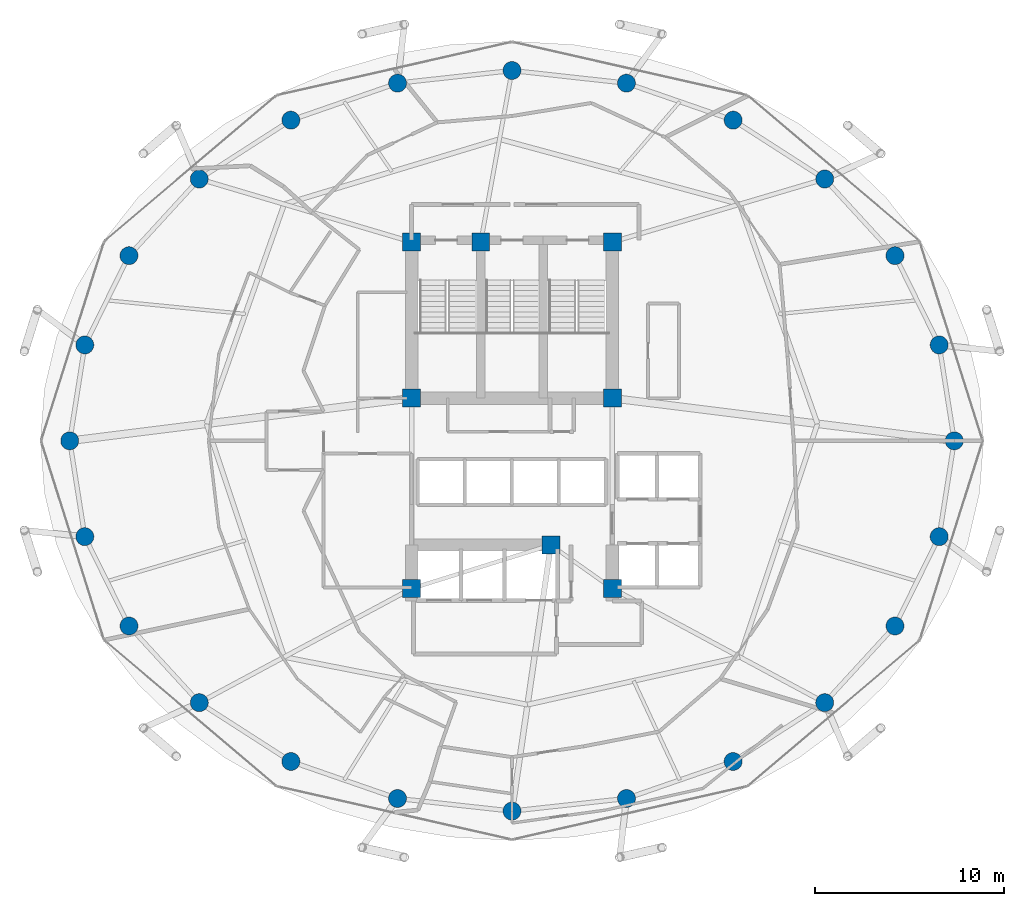
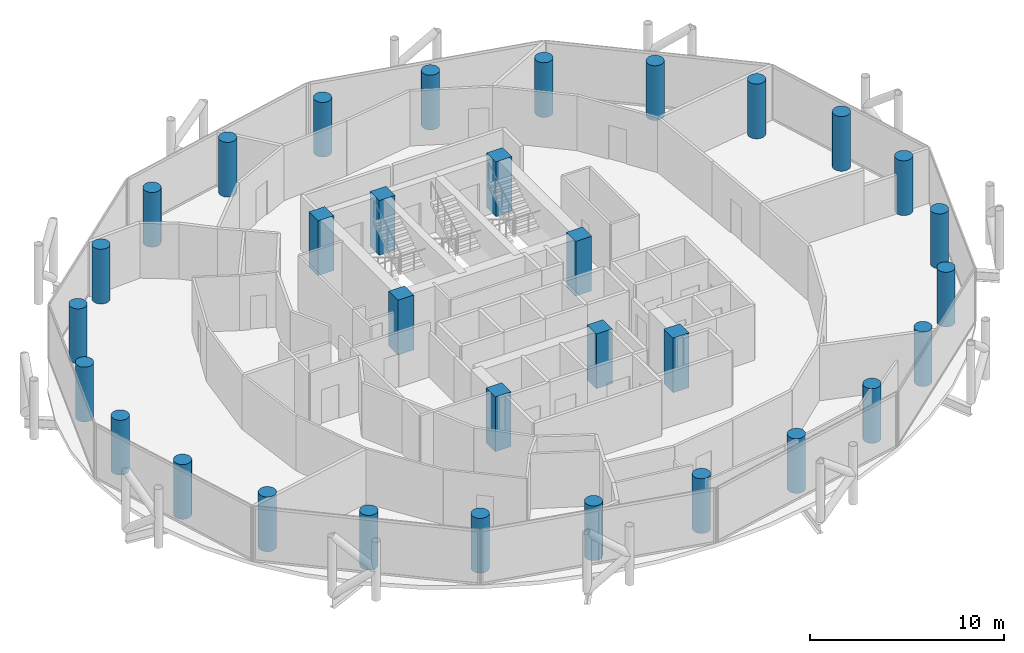
# One storey, part 1 of 26: 32 columns.
"""IFC4 building model written with IfcOpenShell, lengths in metres."""

import ifcopenshell
import ifcopenshell.guid

model = None  # the IFC model being written
_history = None  # IfcOwnerHistory: only IFC2X3 demands one
_inside = {}  # id of a spatial element -> (the spatial element, [elements in it])
_under = {}  # id of a project, library or spatial element -> (it, [spatial elements below it])
_declared = {}  # id of a project -> (the project, [libraries it declares])
_typed = {}  # id of a type object -> (the type object, [elements of that type])
_made_of = {}  # id of a material, layer set ... -> (it, [elements and type objects made of it])


def new_model(schema):
    """Start an empty IFC model of exactly this schema.

    Asked for "IFC4X3", IfcOpenShell would pick the latest addendum, in which some entities
    have other attributes; the version numbers below select the first issue.
    IFC2X3 requires an IfcOwnerHistory on every rooted entity: one is made here for all.
    """
    global model, _history
    if schema == "IFC4X3":
        model = ifcopenshell.file(schema_version=(4, 3, 0, 0))
    else:
        model = ifcopenshell.file(schema=schema)
    _inside.clear()
    _under.clear()
    _declared.clear()
    _typed.clear()
    _made_of.clear()
    _history = None
    if model.schema == "IFC2X3":
        org = make("IfcOrganization", Name="unknown")
        user = make(
            "IfcPersonAndOrganization",
            ThePerson=make("IfcPerson", FamilyName="unknown"),
            TheOrganization=org,
        )
        app = make(
            "IfcApplication",
            ApplicationDeveloper=org,
            Version="unknown",
            ApplicationFullName="unknown",
            ApplicationIdentifier="unknown",
        )
        _history = make(
            "IfcOwnerHistory",
            OwningUser=user,
            OwningApplication=app,
            ChangeAction="ADDED",
            CreationDate=0,
        )
    return model


def make(cls, **values):
    """One entity of the class cls with the attributes given. An attribute that is None is left unset."""
    return model.create_entity(
        cls, **{name: value for name, value in values.items() if value is not None}
    )


def rooted(cls, **values):
    """An entity with a GlobalId (a new one), such as an element, a storey or a relation."""
    return make(cls, GlobalId=ifcopenshell.guid.new(), OwnerHistory=_history, **values)


def si_unit(unit_type, name, prefix=None):
    """IfcSIUnit, for example si_unit("LENGTHUNIT", "METRE", prefix="MILLI")."""
    return make("IfcSIUnit", UnitType=unit_type, Prefix=prefix, Name=name)


def assignment(units):
    """IfcUnitAssignment: the units of a project."""
    return None if units is None else make("IfcUnitAssignment", Units=units)


def point(xyz):
    """IfcCartesianPoint."""
    return None if xyz is None else make("IfcCartesianPoint", Coordinates=xyz)


def direction(xyz):
    """IfcDirection."""
    return None if xyz is None else make("IfcDirection", DirectionRatios=xyz)


def frame(location, z_axis=None, x_axis=None):
    """IfcAxis2Placement3D, a coordinate frame: its origin and axes. An axis left out is left unset."""
    return make(
        "IfcAxis2Placement3D",
        Location=point(location),
        Axis=direction(z_axis),
        RefDirection=direction(x_axis),
    )


def frame_2d(location, x_axis=None):
    """IfcAxis2Placement2D, a coordinate frame in the plane: its origin and x axis."""
    return make(
        "IfcAxis2Placement2D", Location=point(location), RefDirection=direction(x_axis)
    )


def origin():
    """The frame at (0, 0, 0) with its axes left unset."""
    return frame((0.0, 0.0, 0.0))


def origin_2d():
    """The frame at (0, 0) in the plane with its x axis left unset."""
    return frame_2d((0.0, 0.0))


def place(relative_to, where):
    """IfcLocalPlacement: puts the frame where relative to a parent placement (None: the world)."""
    return make(
        "IfcLocalPlacement", PlacementRelTo=relative_to, RelativePlacement=where
    )


def context(
    kind, dimensions, precision=None, world=None, true_north=None, identifier=None
):
    """IfcGeometricRepresentationContext, for example the 3D "Model" context."""
    return make(
        "IfcGeometricRepresentationContext",
        ContextIdentifier=identifier,
        ContextType=kind,
        CoordinateSpaceDimension=dimensions,
        Precision=precision,
        WorldCoordinateSystem=world,
        TrueNorth=true_north,
    )


def subcontext(parent, identifier, kind, view, scale=None):
    """IfcGeometricRepresentationSubContext, for example "Body" below "Model"."""
    return make(
        "IfcGeometricRepresentationSubContext",
        ContextIdentifier=identifier,
        ContextType=kind,
        ParentContext=parent,
        TargetScale=scale,
        TargetView=view,
    )


def project(units=None, contexts=None):
    """IfcProject with its units and contexts."""
    return rooted(
        "IfcProject",
        Name="project",
        RepresentationContexts=contexts,
        UnitsInContext=assignment(units),
    )


def spatial(cls, under=None, at=None, **own):
    """A site, building, storey or space (cls), placed at a placement, below another one or the project."""
    s = rooted(cls, ObjectPlacement=at, **own)
    if under is not None:
        _under.setdefault(under.id(), (under, []))[1].append(s)
    return s


def profile(cls, at=None, kind="AREA", **sizes):
    """A parametric profile (cls). Its sizes go by their IFC names, for example OverallWidth=200.0."""
    return make(cls, ProfileType=kind, Position=at, **sizes)


def rectangle(**sizes):
    """IfcRectangleProfileDef."""
    return profile("IfcRectangleProfileDef", **sizes)


def circle(**sizes):
    """IfcCircleProfileDef."""
    return profile("IfcCircleProfileDef", **sizes)


def extrude(swept, where, along, depth):
    """IfcExtrudedAreaSolid: the profile swept, set in the frame where, extruded along a direction by depth."""
    return make(
        "IfcExtrudedAreaSolid",
        SweptArea=swept,
        Position=where,
        ExtrudedDirection=direction(along),
        Depth=depth,
    )


def shape(context_of_items, identifier, shape_type, items):
    """IfcShapeRepresentation: the items that make up one representation, for example the "Body"."""
    return make(
        "IfcShapeRepresentation",
        ContextOfItems=context_of_items,
        RepresentationIdentifier=identifier,
        RepresentationType=shape_type,
        Items=items,
    )


def material(Name=None, Category=None):
    """IfcMaterial."""
    return make("IfcMaterial", Name=Name, Category=Category)


def material_profile(
    of_material, cross_section, Name=None, Category=None, Priority=None
):
    """IfcMaterialProfile: a cross section and its material."""
    return make(
        "IfcMaterialProfile",
        Name=Name,
        Material=of_material,
        Profile=cross_section,
        Priority=Priority,
        Category=Category,
    )


def profile_set(profiles, Name=None, composite=None):
    """IfcMaterialProfileSet."""
    return make(
        "IfcMaterialProfileSet",
        Name=Name,
        MaterialProfiles=profiles,
        CompositeProfile=composite,
    )


def made_of(thing, what):
    """Note that an element or type object is made of a material, layer set ...; save() writes the relation."""
    if what is not None:
        _made_of.setdefault(what.id(), (what, []))[1].append(thing)
    return thing


def type_object(cls, material=None, **own):
    """A type object (cls), such as IfcWallType, which elements share."""
    return made_of(rooted(cls, **own), material)


def element(
    cls,
    number,
    at=None,
    inside=None,
    cuts=None,
    type_object=None,
    material=None,
    context=None,
    identifier="Body",
    shape_type=None,
    held_by="IfcProductDefinitionShape",
    body=None,
    shapes=None,
    **own,
):
    """One element of the class cls, such as IfcWall. Its Tag is "e" and its number.

    at: its placement. inside: the storey or other place that contains it. cuts: it is an
    opening in that element (IfcRelVoidsElement). A single representation is given by context,
    identifier, shape_type and body (its items); several are given by shapes. held_by: the class
    of the entity that holds the representations. save() writes the other relations.
    """
    e = rooted(cls, Tag="e%d" % number, ObjectPlacement=at, **own)
    if body is not None:
        shapes = [shape(context, identifier, shape_type, body)]
    if shapes is not None:
        e.Representation = make(held_by, Representations=shapes)
    if inside is not None:
        _inside.setdefault(inside.id(), (inside, []))[1].append(e)
    if cuts is not None:
        rooted(
            "IfcRelVoidsElement", RelatingBuildingElement=cuts, RelatedOpeningElement=e
        )
    if type_object is not None:
        _typed.setdefault(type_object.id(), (type_object, []))[1].append(e)
    return made_of(e, material)


def aggregate(whole, parts):
    """IfcRelAggregates: a whole, such as a stair, and the parts it consists of."""
    return rooted("IfcRelAggregates", RelatingObject=whole, RelatedObjects=parts)


def save(model, path):
    """Write the relations noted so far, then the file.

    IfcRelAggregates (storeys below a building ...), IfcRelContainedInSpatialStructure (elements
    in a storey), IfcRelDefinesByType, IfcRelAssociatesMaterial and IfcRelDeclares: one each for
    every whole, place, type object, material and project.
    """
    for whole, parts in _under.values():
        aggregate(whole, parts)
    for where, things in _inside.values():
        rooted(
            "IfcRelContainedInSpatialStructure",
            RelatedElements=things,
            RelatingStructure=where,
        )
    for kind, things in _typed.values():
        rooted("IfcRelDefinesByType", RelatedObjects=things, RelatingType=kind)
    for what, things in _made_of.values():
        rooted("IfcRelAssociatesMaterial", RelatedObjects=things, RelatingMaterial=what)
    for by, libraries in _declared.values():
        rooted("IfcRelDeclares", RelatingContext=by, RelatedDefinitions=libraries)
    model.write(path)


model = new_model("IFC4")

# Units and contexts
model_context = context("Model", 3, precision=1e-05, world=origin(), true_north=direction((0.0, 1.0)))
body_context = subcontext(model_context, "Body", "Model", "MODEL_VIEW")
ifc_project = project(units=[si_unit("LENGTHUNIT", "METRE"), si_unit("AREAUNIT", "SQUARE_METRE"), si_unit("VOLUMEUNIT", "CUBIC_METRE"), si_unit("PLANEANGLEUNIT", "RADIAN"), si_unit("MASSUNIT", "GRAM", prefix="KILO")], contexts=[model_context])

# Site, building, storey
site_placement = place(None, origin())
site = spatial("IfcSite", under=ifc_project, at=site_placement, CompositionType="ELEMENT")
building_placement = place(site_placement, origin())
building = spatial("IfcBuilding", under=site, at=building_placement, Name="Nuhasar Tower", CompositionType="ELEMENT")
storey_placement = place(building_placement, frame((0.0, 0.0, 188.550048828125)))
storey = spatial("IfcBuildingStorey", under=building, at=storey_placement, Name="L46", CompositionType="ELEMENT", Elevation=188.550048828125)

# Columns
ifc_material = material(Name="Concrete C65/80", Category="concrete")
ifc_material_profile_1 = material_profile(ifc_material, circle(Radius=0.47509765625, at=origin_2d()), Name="CFT950")
ifc_profile_set_1 = profile_set([ifc_material_profile_1], Name="Concrete C65/80")
column_type_1 = type_object("IfcColumnType", Name="COL-CFT-950", PredefinedType="COLUMN", material=ifc_profile_set_1)
for number, where, z_axis, x_axis, name in (
    (1, (62.35009765625, 26.800048828125, 0.0), (0.0, 0.0, 1.0), (1.0, 0.0, 0.0), "L46 Perimeter Composite Column TC-01"),
    (2, (61.553955078125, 31.860107421875, 0.0), (0.0, 0.0, 1.0), (1.0, 0.0, 0.0), "L46 Perimeter Composite Column TC-02"),
    (3, (59.221923828125, 36.574951171875, 0.0), (0.0, 0.0, 1.0), (1.0, 0.0, 0.0), "L46 Perimeter Composite Column TC-03"),
    (4, (55.510986328125, 40.6240234375, 0.0), (0.0, 0.0, 1.0), (1.0, 0.0, 0.0), "L46 Perimeter Composite Column TC-04"),
    (5, (50.675048828125, 43.73095703125, 0.0), (0.0, 0.0, 1.0), (1.0, 0.0, 0.0), "L46 Perimeter Composite Column TC-05"),
    (6, (45.04296875, 45.68408203125, 0.0), (0.0, 0.0, 1.0), (1.0, 0.0, 0.0), "L46 Perimeter Composite Column TC-06"),
    (7, (39.0, 46.35009765625, 0.0), (0.0, 0.0, 1.0), (1.0, 0.0, 0.0), "L46 Perimeter Composite Column TC-07"),
    (8, (32.95703125, 45.68408203125, 0.0), (0.0, 0.0, 1.0), (1.0, 0.0, 0.0), "L46 Perimeter Composite Column TC-08"),
    (9, (27.324951171875, 43.73095703125, 0.0), (0.0, 0.0, 1.0), (1.0, 0.0, 0.0), "L46 Perimeter Composite Column TC-09"),
    (10, (22.489013671875, 40.6240234375, 0.0), (0.0, 0.0, 1.0), (1.0, 0.0, 0.0), "L46 Perimeter Composite Column TC-10"),
    (11, (18.778076171875, 36.574951171875, 0.0), (0.0, 0.0, 1.0), (1.0, 0.0, 0.0), "L46 Perimeter Composite Column TC-11"),
    (12, (16.446044921875, 31.860107421875, 0.0), (0.0, 0.0, 1.0), (1.0, 0.0, 0.0), "L46 Perimeter Composite Column TC-12"),
    (13, (15.64990234375, 26.800048828125, 0.0), (0.0, 0.0, 1.0), (1.0, 0.0, 0.0), "L46 Perimeter Composite Column TC-13"),
    (14, (16.446044921875, 21.739990234375, 0.0), (0.0, 0.0, 1.0), (1.0, 0.0, 0.0), "L46 Perimeter Composite Column TC-14"),
    (15, (18.778076171875, 17.02490234375, 0.0), (0.0, 0.0, 1.0), (1.0, 0.0, 0.0), "L46 Perimeter Composite Column TC-15"),
    (16, (22.489013671875, 12.97607421875, 0.0), (0.0, 0.0, 1.0), (1.0, 0.0, 0.0), "L46 Perimeter Composite Column TC-16"),
    (17, (27.324951171875, 9.868896484375, 0.0), (0.0, 0.0, 1.0), (1.0, 0.0, 0.0), "L46 Perimeter Composite Column TC-17"),
    (18, (32.95703125, 7.916015625, 0.0), (0.0, 0.0, 1.0), (1.0, 0.0, 0.0), "L46 Perimeter Composite Column TC-18"),
    (19, (39.0, 7.25, 0.0), (0.0, 0.0, 1.0), (1.0, 0.0, 0.0), "L46 Perimeter Composite Column TC-19"),
    (20, (45.04296875, 7.916015625, 0.0), (0.0, 0.0, 1.0), (1.0, 0.0, 0.0), "L46 Perimeter Composite Column TC-20"),
    (21, (50.675048828125, 9.868896484375, 0.0), (0.0, 0.0, 1.0), (1.0, 0.0, 0.0), "L46 Perimeter Composite Column TC-21"),
    (22, (55.510986328125, 12.97607421875, 0.0), (0.0, 0.0, 1.0), (1.0, 0.0, 0.0), "L46 Perimeter Composite Column TC-22"),
    (23, (59.221923828125, 17.02490234375, 0.0), (0.0, 0.0, 1.0), (1.0, 0.0, 0.0), "L46 Perimeter Composite Column TC-23"),
    (24, (61.553955078125, 21.739990234375, 0.0), (0.0, 0.0, 1.0), (1.0, 0.0, 0.0), "L46 Perimeter Composite Column TC-24"),
):
    element("IfcColumn", number, at=place(storey_placement, frame(where, z_axis=z_axis, x_axis=x_axis)), inside=storey, type_object=column_type_1, Name=name, PredefinedType="COLUMN", context=body_context, shape_type="SweptSolid", body=[
        extrude(circle(Radius=0.47509765625, at=origin_2d()), origin(), (0.0, 0.0, 1.0), 3.449951171875),
    ])
ifc_material_profile_2 = material_profile(ifc_material, rectangle(XDim=0.949951171875, YDim=0.949951171875, at=origin_2d()), Name="RC950X950")
ifc_profile_set_2 = profile_set([ifc_material_profile_2], Name="Concrete C65/80")
column_type_2 = type_object("IfcColumnType", Name="PIL-RC-950", PredefinedType="PILASTER", material=ifc_profile_set_2)
for number, where, z_axis, x_axis, name in (
    (25, (33.699951171875, 19.0, 0.0), (0.0, 0.0, 1.0), (1.0, 0.0, 0.0), "L46 Core Boundary Pilaster CC-01"),
    (26, (41.050048828125, 21.300048828125, 0.0), (0.0, 0.0, 1.0), (1.0, 0.0, 0.0), "L46 Core Boundary Pilaster CC-02"),
    (27, (44.300048828125, 19.0, 0.0), (0.0, 0.0, 1.0), (1.0, 0.0, 0.0), "L46 Core Boundary Pilaster CC-03"),
    (28, (44.300048828125, 29.050048828125, 0.0), (0.0, 0.0, 1.0), (1.0, 0.0, 0.0), "L46 Core Boundary Pilaster CC-04"),
    (29, (44.300048828125, 37.300048828125, 0.0), (0.0, 0.0, 1.0), (1.0, 0.0, 0.0), "L46 Core Boundary Pilaster CC-05"),
    (30, (37.35009765625, 37.300048828125, 0.0), (0.0, 0.0, 1.0), (1.0, 0.0, 0.0), "L46 Core Boundary Pilaster CC-06"),
    (31, (33.699951171875, 37.300048828125, 0.0), (0.0, 0.0, 1.0), (1.0, 0.0, 0.0), "L46 Core Boundary Pilaster CC-07"),
    (32, (33.699951171875, 29.050048828125, 0.0), (0.0, 0.0, 1.0), (1.0, 0.0, 0.0), "L46 Core Boundary Pilaster CC-08"),
):
    element("IfcColumn", number, at=place(storey_placement, frame(where, z_axis=z_axis, x_axis=x_axis)), inside=storey, type_object=column_type_2, Name=name, PredefinedType="PILASTER", context=body_context, shape_type="SweptSolid", body=[
        extrude(rectangle(XDim=0.949951171875, YDim=0.949951171875, at=origin_2d()), origin(), (0.0, 0.0, 1.0), 3.449951171875),
    ])

save(model, "model.ifc")
